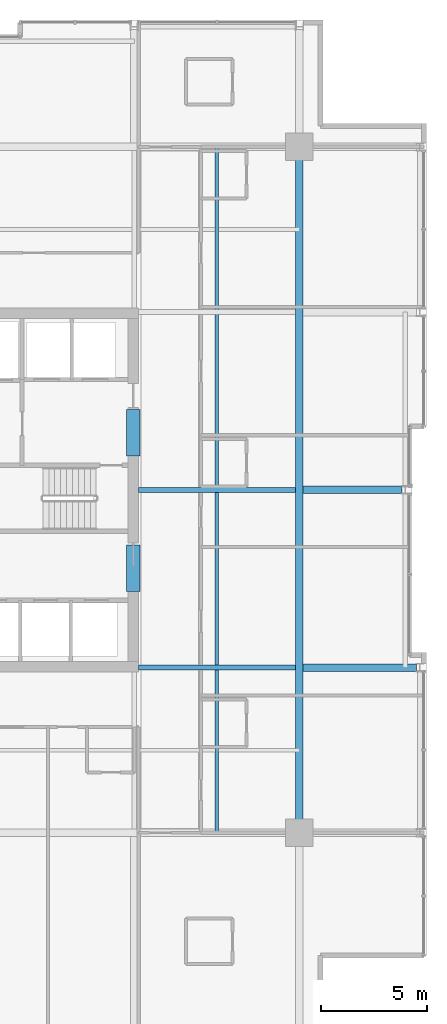
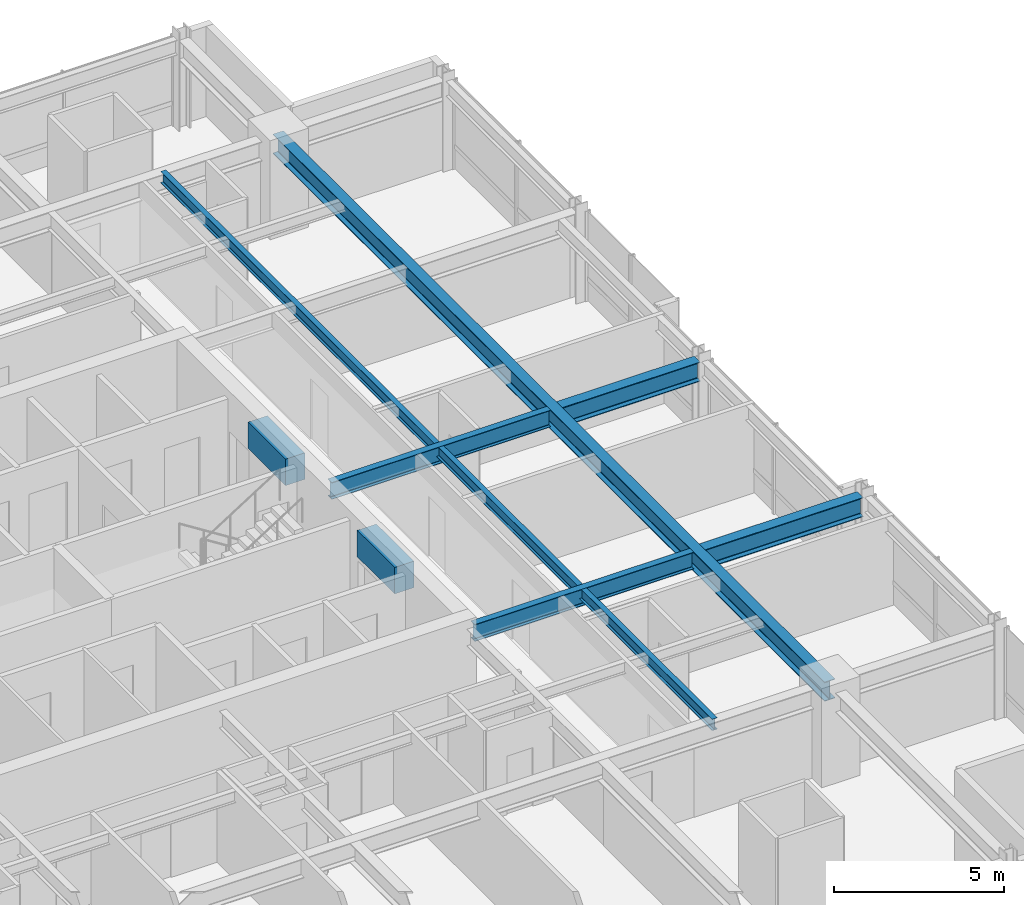
# One storey, part 14 of 33: 8 beams.
"""IFC4 building model written with IfcOpenShell, lengths in metres."""

from ifc_helpers import new_model, si_unit, direction, frame, origin, origin_2d, place, context, subcontext, project, spatial, rectangle, i_section, extrude, material, material_profile, profile_set, type_object, element, save


model = new_model("IFC4")

# Units and contexts
model_context = context("Model", 3, precision=1e-05, world=origin(), true_north=direction((0.0, 1.0)))
body_context = subcontext(model_context, "Body", "Model", "MODEL_VIEW")
ifc_project = project(units=[si_unit("LENGTHUNIT", "METRE"), si_unit("AREAUNIT", "SQUARE_METRE"), si_unit("VOLUMEUNIT", "CUBIC_METRE"), si_unit("PLANEANGLEUNIT", "RADIAN"), si_unit("MASSUNIT", "GRAM", prefix="KILO")], contexts=[model_context])

# Site, building, storey
site_placement = place(None, origin())
site = spatial("IfcSite", under=ifc_project, at=site_placement, CompositionType="ELEMENT")
building_placement = place(site_placement, origin())
building = spatial("IfcBuilding", under=site, at=building_placement, Name="Drelvath Grand Hotel", CompositionType="ELEMENT")
storey_placement = place(building_placement, frame((0.0, 0.0, 196.550048828125)))
storey = spatial("IfcBuildingStorey", under=building, at=storey_placement, Name="L51", CompositionType="ELEMENT", Elevation=196.550048828125)

# Beams
ifc_material_1 = material(Name="Steel ASTM A992 Gr 50", Category="steel")
ifc_material_profile_1 = material_profile(ifc_material_1, i_section(OverallWidth=0.177734375, OverallDepth=0.40673828125, WebThickness=0.0078125, FlangeThickness=0.0126953125, FilletRadius=0.014892578125, at=origin_2d()), Name="W16X40")
ifc_profile_set_1 = profile_set([ifc_material_profile_1], Name="Steel ASTM A992 Gr 50")
beam_type_1 = type_object("IfcBeamType", Name="Composite Floor Joist W16X40", PredefinedType="JOIST", material=ifc_profile_set_1)
beam_1_placement = place(storey_placement, frame((12.300048828125, 10.800048828125, 3.026611328125), z_axis=(0.0, 1.0, 0.0), x_axis=(-1.0, 0.0, 0.0)))
element("IfcBeam", 1, at=beam_1_placement, inside=storey, type_object=beam_type_1, Name="L51 Wing Floor Joist J4", PredefinedType="JOIST", context=body_context, shape_type="SweptSolid", body=[
    extrude(i_section(OverallWidth=0.177734375, OverallDepth=0.40673828125, WebThickness=0.0078125, FlangeThickness=0.0126953125, FilletRadius=0.014892578125, at=origin_2d()), origin(), (0.0, 0.0, 1.0), 32.39990234375),
])
ifc_material_2 = material(Name="Concrete f'c 55 MPa", Category="concrete")
ifc_material_profile_2 = material_profile(ifc_material_2, rectangle(XDim=0.64990234375, YDim=0.949951171875, at=origin_2d()), Name="CB650X950")
ifc_profile_set_2 = profile_set([ifc_material_profile_2], Name="Concrete f'c 55 MPa")
beam_type_2 = type_object("IfcBeamType", Name="Core Coupling Lintel CB650X950", PredefinedType="LINTEL", material=ifc_profile_set_2)
for number, where, z_axis, x_axis, name in (
    (2, (8.35009765625, 22.199951171875, 2.7548828125), (0.0, 1.0, 0.0), (-1.0, 0.0, 0.0), "L51 Core Coupling Lintel ES"),
    (3, (8.35009765625, 28.60009765625, 2.7548828125), (0.0, 1.0, 0.0), (-1.0, 0.0, 0.0), "L51 Core Coupling Lintel EN"),
):
    element("IfcBeam", number, at=place(storey_placement, frame(where, z_axis=z_axis, x_axis=x_axis)), inside=storey, type_object=beam_type_2, Name=name, PredefinedType="LINTEL", context=body_context, shape_type="SweptSolid", body=[
        extrude(rectangle(XDim=0.64990234375, YDim=0.949951171875, at=origin_2d()), origin(), (0.0, 0.0, 1.0), 2.199951171875),
    ])
ifc_material_profile_3 = material_profile(ifc_material_1, i_section(OverallWidth=0.228271484375, OverallDepth=0.607666015625, WebThickness=0.01123046875, FlangeThickness=0.017333984375, FilletRadius=0.02001953125, at=origin_2d()), Name="W24X76")
ifc_profile_set_3 = profile_set([ifc_material_profile_3], Name="Steel ASTM A992 Gr 50")
beam_type_3 = type_object("IfcBeamType", Name="Primary Floor Girder W24X76", PredefinedType="BEAM", material=ifc_profile_set_3)
for number, where, z_axis, x_axis, name in (
    (4, (8.60009765625, 18.60009765625, 2.92626953125), (1.0, 0.0, 0.0), (0.0, 1.0, 0.0), "L51 East Core Tie D"),
    (5, (8.60009765625, 27.0, 2.92626953125), (1.0, 0.0, 0.0), (0.0, 1.0, 0.0), "L51 East Core Tie E"),
):
    element("IfcBeam", number, at=place(storey_placement, frame(where, z_axis=z_axis, x_axis=x_axis)), inside=storey, type_object=beam_type_3, Name=name, PredefinedType="BEAM", context=body_context, shape_type="SweptSolid", body=[
        extrude(i_section(OverallWidth=0.228271484375, OverallDepth=0.607666015625, WebThickness=0.01123046875, FlangeThickness=0.017333984375, FilletRadius=0.02001953125, at=origin_2d()), origin(), (0.0, 0.0, 1.0), 7.422607421875),
    ])
ifc_material_profile_4 = material_profile(ifc_material_1, i_section(OverallWidth=0.354736328125, OverallDepth=0.695556640625, WebThickness=0.015380859375, FlangeThickness=0.025146484375, FilletRadius=0.02392578125, at=origin_2d()), Name="W27X146")
ifc_profile_set_4 = profile_set([ifc_material_profile_4], Name="Steel ASTM A992 Gr 50")
beam_type_4 = type_object("IfcBeamType", Name="Primary Floor Girder W27X146", PredefinedType="BEAM", material=ifc_profile_set_4)
beam_2_placement = place(storey_placement, frame((16.199951171875, 10.800048828125, 2.88232421875), z_axis=(0.0, 1.0, 0.0), x_axis=(-1.0, 0.0, 0.0)))
element("IfcBeam", 6, at=beam_2_placement, inside=storey, type_object=beam_type_4, Name="L51 Mega Ring Girder East", PredefinedType="BEAM", context=body_context, shape_type="SweptSolid", body=[
    extrude(i_section(OverallWidth=0.354736328125, OverallDepth=0.695556640625, WebThickness=0.015380859375, FlangeThickness=0.025146484375, FilletRadius=0.02392578125, at=origin_2d()), origin(), (0.0, 0.0, 1.0), 32.39990234375),
])
beam_3_placement = place(storey_placement, frame((16.37744140625, 18.60009765625, 2.88232421875), z_axis=(1.0, 0.0, 0.0), x_axis=(0.0, 1.0, 0.0)))
element("IfcBeam", 7, at=beam_3_placement, inside=storey, type_object=beam_type_4, Name="L51 East Wing Girder D", PredefinedType="BEAM", context=body_context, shape_type="SweptSolid", body=[
    extrude(i_section(OverallWidth=0.354736328125, OverallDepth=0.695556640625, WebThickness=0.015380859375, FlangeThickness=0.025146484375, FilletRadius=0.02392578125, at=origin_2d()), origin(), (0.0, 0.0, 1.0), 5.362548828125),
])
beam_4_placement = place(storey_placement, frame((16.37744140625, 27.0, 2.88232421875), z_axis=(1.0, 0.0, 0.0), x_axis=(0.0, 1.0, 0.0)))
element("IfcBeam", 8, at=beam_4_placement, inside=storey, type_object=beam_type_4, Name="L51 East Wing Girder E", PredefinedType="BEAM", context=body_context, shape_type="SweptSolid", body=[
    extrude(i_section(OverallWidth=0.354736328125, OverallDepth=0.695556640625, WebThickness=0.015380859375, FlangeThickness=0.025146484375, FilletRadius=0.02392578125, at=origin_2d()), origin(), (0.0, 0.0, 1.0), 4.6826171875),
])

save(model, "model.ifc")
